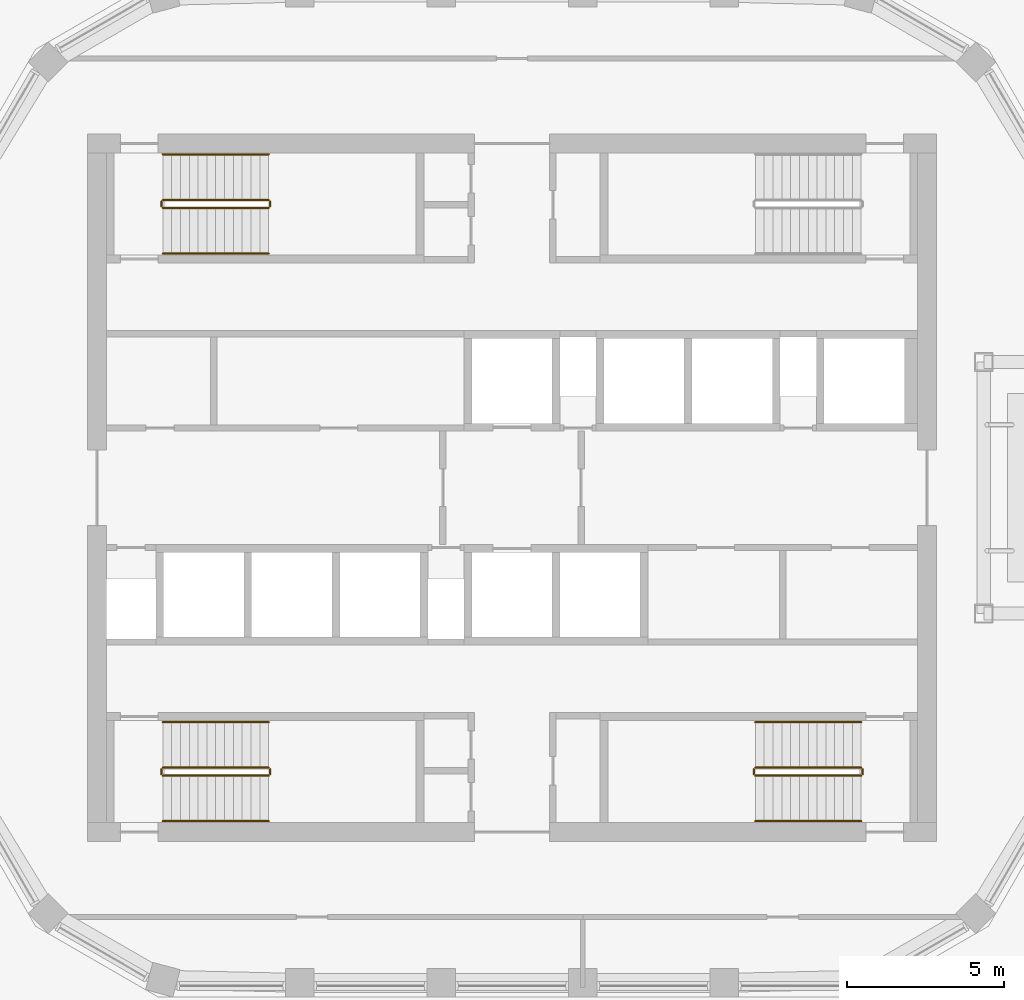
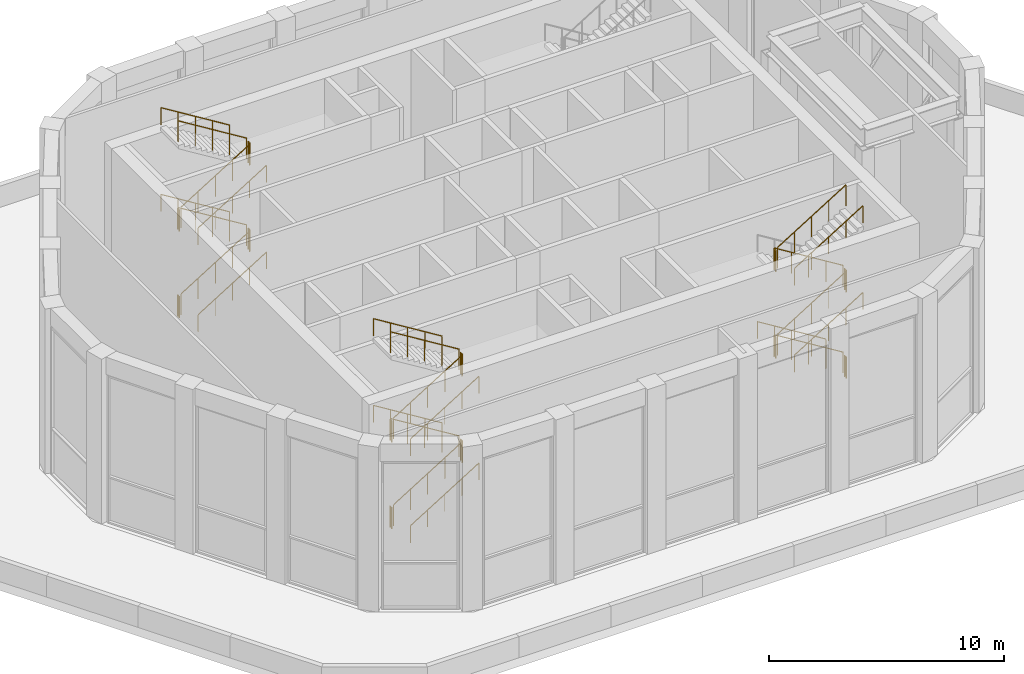
# One storey, part 10 of 11: 35 railings.
"""IFC4 building model written with IfcOpenShell, lengths in metres."""

from ifc_helpers import new_model, si_unit, direction, frame, origin, origin_2d, place, context, subcontext, project, spatial, circle, extrude, material, type_object, element, save


model = new_model("IFC4")

# Units and contexts
model_context = context("Model", 3, precision=1e-05, world=origin(), true_north=direction((0.0, 1.0)))
body_context = subcontext(model_context, "Body", "Model", "MODEL_VIEW")
ifc_project = project(units=[si_unit("LENGTHUNIT", "METRE"), si_unit("AREAUNIT", "SQUARE_METRE"), si_unit("VOLUMEUNIT", "CUBIC_METRE"), si_unit("PLANEANGLEUNIT", "RADIAN"), si_unit("MASSUNIT", "GRAM", prefix="KILO")], contexts=[model_context])

# Site, building, storey
site_placement = place(None, origin())
site = spatial("IfcSite", under=ifc_project, at=site_placement, CompositionType="ELEMENT")
building_placement = place(site_placement, origin())
building = spatial("IfcBuilding", under=site, at=building_placement, Name="Dhurran Vertical Campus", CompositionType="ELEMENT")
storey_placement = place(building_placement, frame((0.0, 0.0, 309.89990234375)))
storey = spatial("IfcBuildingStorey", under=building, at=storey_placement, Name="L77 Damper Plant", CompositionType="ELEMENT", Elevation=309.89990234375)

# Railings
ifc_material_1 = material(Name="Stainless steel balustrade", Category="steel")
railing_type_1 = type_object("IfcRailingType", Name="co-RL-GUARD-1100", PredefinedType="GUARDRAIL", material=ifc_material_1)
railing_1_placement = place(storey_placement, frame((-11.10009765625, 8.89990234375, 0.173095703125)))
element("IfcRailing", 1, at=railing_1_placement, inside=storey, type_object=railing_type_1, Name="L77 Damper Plant ST1 stair guard 1", PredefinedType="GUARDRAIL", context=body_context, shape_type="SweptSolid", body=[
    extrude(circle(Radius=0.02392578125, at=origin_2d()), frame((0.0, 0.0, 1.076171875), z_axis=(0.850623216509, 0.0, 0.525775754039), x_axis=(0.0, 1.0, 0.0)), (0.0, 0.0, 1.0), 3.9501953125),
    extrude(circle(Radius=0.02099609375, at=origin_2d()), origin(), (0.0, 0.0, 1.0), 1.052001953125),
    extrude(circle(Radius=0.02099609375, at=origin_2d()), frame((0.840087890625, 0.0, 0.519287109375)), (0.0, 0.0, 1.0), 1.052001953125),
    extrude(circle(Radius=0.02099609375, at=origin_2d()), frame((1.68017578125, 0.0, 1.03857421875)), (0.0, 0.0, 1.0), 1.052001953125),
    extrude(circle(Radius=0.02099609375, at=origin_2d()), frame((2.52001953125, 0.0, 1.5576171875)), (0.0, 0.0, 1.0), 1.052001953125),
    extrude(circle(Radius=0.02099609375, at=origin_2d()), frame((3.360107421875, 0.0, 2.076904296875)), (0.0, 0.0, 1.0), 1.052001953125),
])
railing_2_placement = place(storey_placement, frame((-7.68994140625, 8.949951171875, 2.25)))
element("IfcRailing", 2, at=railing_2_placement, inside=storey, type_object=railing_type_1, Name="L77 Damper Plant ST1 stair guard 2", PredefinedType="GUARDRAIL", context=body_context, shape_type="SweptSolid", body=[
    extrude(circle(Radius=0.02392578125, at=origin_2d()), frame((0.0, 0.0, 1.076171875), z_axis=(0.0, 1.0, 0.0), x_axis=(-1.0, 0.0, 0.0)), (0.0, 0.0, 1.0), 0.150146484375),
    extrude(circle(Radius=0.02099609375, at=origin_2d()), origin(), (0.0, 0.0, 1.0), 1.052001953125),
    extrude(circle(Radius=0.02099609375, at=origin_2d()), frame((0.0, 0.150146484375, 0.0)), (0.0, 0.0, 1.0), 1.052001953125),
])
railing_3_placement = place(storey_placement, frame((-7.739990234375, 9.14990234375, 2.423095703125)))
element("IfcRailing", 3, at=railing_3_placement, inside=storey, type_object=railing_type_1, Name="L77 Damper Plant ST1 stair guard 3", PredefinedType="GUARDRAIL", context=body_context, shape_type="SweptSolid", body=[
    extrude(circle(Radius=0.02392578125, at=origin_2d()), frame((0.0, 0.0, 1.076171875), z_axis=(-0.850623216509, 0.0, 0.525775754039), x_axis=(0.0, -1.0, 0.0)), (0.0, 0.0, 1.0), 3.9501953125),
    extrude(circle(Radius=0.02099609375, at=origin_2d()), origin(), (0.0, 0.0, 1.0), 1.052001953125),
    extrude(circle(Radius=0.02099609375, at=origin_2d()), frame((-0.840087890625, 0.0, 0.519287109375)), (0.0, 0.0, 1.0), 1.052001953125),
    extrude(circle(Radius=0.02099609375, at=origin_2d()), frame((-1.68017578125, 0.0, 1.03857421875)), (0.0, 0.0, 1.0), 1.052001953125),
    extrude(circle(Radius=0.02099609375, at=origin_2d()), frame((-2.52001953125, 0.0, 1.5576171875)), (0.0, 0.0, 1.0), 1.052001953125),
    extrude(circle(Radius=0.02099609375, at=origin_2d()), frame((-3.360107421875, 0.0, 2.076904296875)), (0.0, 0.0, 1.0), 1.052001953125),
])
railing_4_placement = place(storey_placement, frame((-11.14990234375, 8.949951171875, 4.5)))
element("IfcRailing", 4, at=railing_4_placement, inside=storey, type_object=railing_type_1, Name="L77 Damper Plant ST1 stair guard 4", PredefinedType="GUARDRAIL", context=body_context, shape_type="SweptSolid", body=[
    extrude(circle(Radius=0.02392578125, at=origin_2d()), frame((0.0, 0.0, 1.076171875), z_axis=(0.0, 1.0, 0.0), x_axis=(-1.0, 0.0, 0.0)), (0.0, 0.0, 1.0), 0.150146484375),
    extrude(circle(Radius=0.02099609375, at=origin_2d()), origin(), (0.0, 0.0, 1.0), 1.052001953125),
    extrude(circle(Radius=0.02099609375, at=origin_2d()), frame((0.0, 0.150146484375, 0.0)), (0.0, 0.0, 1.0), 1.052001953125),
])
railing_5_placement = place(storey_placement, frame((-11.10009765625, 8.89990234375, 4.673095703125)))
element("IfcRailing", 5, at=railing_5_placement, inside=storey, type_object=railing_type_1, Name="L77 Damper Plant ST1 stair guard 5", PredefinedType="GUARDRAIL", context=body_context, shape_type="SweptSolid", body=[
    extrude(circle(Radius=0.02392578125, at=origin_2d()), frame((0.0, 0.0, 1.076171875), z_axis=(0.850623216509, 0.0, 0.525775754039), x_axis=(0.0, 1.0, 0.0)), (0.0, 0.0, 1.0), 3.9501953125),
    extrude(circle(Radius=0.02099609375, at=origin_2d()), origin(), (0.0, 0.0, 1.0), 1.052001953125),
    extrude(circle(Radius=0.02099609375, at=origin_2d()), frame((0.840087890625, 0.0, 0.519287109375)), (0.0, 0.0, 1.0), 1.052001953125),
    extrude(circle(Radius=0.02099609375, at=origin_2d()), frame((1.68017578125, 0.0, 1.03857421875)), (0.0, 0.0, 1.0), 1.052001953125),
    extrude(circle(Radius=0.02099609375, at=origin_2d()), frame((2.52001953125, 0.0, 1.5576171875)), (0.0, 0.0, 1.0), 1.052001953125),
    extrude(circle(Radius=0.02099609375, at=origin_2d()), frame((3.360107421875, 0.0, 2.076904296875)), (0.0, 0.0, 1.0), 1.052001953125),
])
railing_6_placement = place(storey_placement, frame((-7.68994140625, 8.949951171875, 6.75)))
element("IfcRailing", 6, at=railing_6_placement, inside=storey, type_object=railing_type_1, Name="L77 Damper Plant ST1 stair guard 6", PredefinedType="GUARDRAIL", context=body_context, shape_type="SweptSolid", body=[
    extrude(circle(Radius=0.02392578125, at=origin_2d()), frame((0.0, 0.0, 1.076171875), z_axis=(0.0, 1.0, 0.0), x_axis=(-1.0, 0.0, 0.0)), (0.0, 0.0, 1.0), 0.150146484375),
    extrude(circle(Radius=0.02099609375, at=origin_2d()), origin(), (0.0, 0.0, 1.0), 1.052001953125),
    extrude(circle(Radius=0.02099609375, at=origin_2d()), frame((0.0, 0.150146484375, 0.0)), (0.0, 0.0, 1.0), 1.052001953125),
])
railing_7_placement = place(storey_placement, frame((-7.739990234375, 9.14990234375, 6.923095703125)))
element("IfcRailing", 7, at=railing_7_placement, inside=storey, type_object=railing_type_1, Name="L77 Damper Plant ST1 stair guard 7", PredefinedType="GUARDRAIL", context=body_context, shape_type="SweptSolid", body=[
    extrude(circle(Radius=0.02392578125, at=origin_2d()), frame((0.0, 0.0, 1.076171875), z_axis=(-0.850623216509, 0.0, 0.525775754039), x_axis=(0.0, -1.0, 0.0)), (0.0, 0.0, 1.0), 3.9501953125),
    extrude(circle(Radius=0.02099609375, at=origin_2d()), origin(), (0.0, 0.0, 1.0), 1.052001953125),
    extrude(circle(Radius=0.02099609375, at=origin_2d()), frame((-0.840087890625, 0.0, 0.519287109375)), (0.0, 0.0, 1.0), 1.052001953125),
    extrude(circle(Radius=0.02099609375, at=origin_2d()), frame((-1.68017578125, 0.0, 1.03857421875)), (0.0, 0.0, 1.0), 1.052001953125),
    extrude(circle(Radius=0.02099609375, at=origin_2d()), frame((-2.52001953125, 0.0, 1.5576171875)), (0.0, 0.0, 1.0), 1.052001953125),
    extrude(circle(Radius=0.02099609375, at=origin_2d()), frame((-3.360107421875, 0.0, 2.076904296875)), (0.0, 0.0, 1.0), 1.052001953125),
])
railing_8_placement = place(storey_placement, frame((-11.14990234375, 8.949951171875, 0.0)))
element("IfcRailing", 8, at=railing_8_placement, inside=storey, type_object=railing_type_1, Name="L77 Damper Plant ST1 stair guard 8", PredefinedType="GUARDRAIL", context=body_context, shape_type="SweptSolid", body=[
    extrude(circle(Radius=0.02392578125, at=origin_2d()), frame((0.0, 0.0, 1.076171875), z_axis=(0.0, 1.0, 0.0), x_axis=(-1.0, 0.0, 0.0)), (0.0, 0.0, 1.0), 0.150146484375),
    extrude(circle(Radius=0.02099609375, at=origin_2d()), origin(), (0.0, 0.0, 1.0), 1.052001953125),
    extrude(circle(Radius=0.02099609375, at=origin_2d()), frame((0.0, 0.150146484375, 0.0)), (0.0, 0.0, 1.0), 1.052001953125),
])
railing_9_placement = place(storey_placement, frame((-11.10009765625, -9.14990234375, 0.173095703125)))
element("IfcRailing", 9, at=railing_9_placement, inside=storey, type_object=railing_type_1, Name="L77 Damper Plant ST3 stair guard 1", PredefinedType="GUARDRAIL", context=body_context, shape_type="SweptSolid", body=[
    extrude(circle(Radius=0.02392578125, at=origin_2d()), frame((0.0, 0.0, 1.076171875), z_axis=(0.850623216509, 0.0, 0.525775754039), x_axis=(0.0, 1.0, 0.0)), (0.0, 0.0, 1.0), 3.9501953125),
    extrude(circle(Radius=0.02099609375, at=origin_2d()), origin(), (0.0, 0.0, 1.0), 1.052001953125),
    extrude(circle(Radius=0.02099609375, at=origin_2d()), frame((0.840087890625, 0.0, 0.519287109375)), (0.0, 0.0, 1.0), 1.052001953125),
    extrude(circle(Radius=0.02099609375, at=origin_2d()), frame((1.68017578125, 0.0, 1.03857421875)), (0.0, 0.0, 1.0), 1.052001953125),
    extrude(circle(Radius=0.02099609375, at=origin_2d()), frame((2.52001953125, 0.0, 1.5576171875)), (0.0, 0.0, 1.0), 1.052001953125),
    extrude(circle(Radius=0.02099609375, at=origin_2d()), frame((3.360107421875, 0.0, 2.076904296875)), (0.0, 0.0, 1.0), 1.052001953125),
])
railing_10_placement = place(storey_placement, frame((-7.68994140625, -9.10009765625, 2.25)))
element("IfcRailing", 10, at=railing_10_placement, inside=storey, type_object=railing_type_1, Name="L77 Damper Plant ST3 stair guard 2", PredefinedType="GUARDRAIL", context=body_context, shape_type="SweptSolid", body=[
    extrude(circle(Radius=0.02392578125, at=origin_2d()), frame((0.0, 0.0, 1.076171875), z_axis=(0.0, 1.0, 0.0), x_axis=(-1.0, 0.0, 0.0)), (0.0, 0.0, 1.0), 0.150146484375),
    extrude(circle(Radius=0.02099609375, at=origin_2d()), origin(), (0.0, 0.0, 1.0), 1.052001953125),
    extrude(circle(Radius=0.02099609375, at=origin_2d()), frame((0.0, 0.150146484375, 0.0)), (0.0, 0.0, 1.0), 1.052001953125),
])
railing_11_placement = place(storey_placement, frame((-7.739990234375, -8.89990234375, 2.423095703125)))
element("IfcRailing", 11, at=railing_11_placement, inside=storey, type_object=railing_type_1, Name="L77 Damper Plant ST3 stair guard 3", PredefinedType="GUARDRAIL", context=body_context, shape_type="SweptSolid", body=[
    extrude(circle(Radius=0.02392578125, at=origin_2d()), frame((0.0, 0.0, 1.076171875), z_axis=(-0.850623216509, 0.0, 0.525775754039), x_axis=(0.0, -1.0, 0.0)), (0.0, 0.0, 1.0), 3.9501953125),
    extrude(circle(Radius=0.02099609375, at=origin_2d()), origin(), (0.0, 0.0, 1.0), 1.052001953125),
    extrude(circle(Radius=0.02099609375, at=origin_2d()), frame((-0.840087890625, 0.0, 0.519287109375)), (0.0, 0.0, 1.0), 1.052001953125),
    extrude(circle(Radius=0.02099609375, at=origin_2d()), frame((-1.68017578125, 0.0, 1.03857421875)), (0.0, 0.0, 1.0), 1.052001953125),
    extrude(circle(Radius=0.02099609375, at=origin_2d()), frame((-2.52001953125, 0.0, 1.5576171875)), (0.0, 0.0, 1.0), 1.052001953125),
    extrude(circle(Radius=0.02099609375, at=origin_2d()), frame((-3.360107421875, 0.0, 2.076904296875)), (0.0, 0.0, 1.0), 1.052001953125),
])
railing_12_placement = place(storey_placement, frame((-11.14990234375, -9.10009765625, 4.5)))
element("IfcRailing", 12, at=railing_12_placement, inside=storey, type_object=railing_type_1, Name="L77 Damper Plant ST3 stair guard 4", PredefinedType="GUARDRAIL", context=body_context, shape_type="SweptSolid", body=[
    extrude(circle(Radius=0.02392578125, at=origin_2d()), frame((0.0, 0.0, 1.076171875), z_axis=(0.0, 1.0, 0.0), x_axis=(-1.0, 0.0, 0.0)), (0.0, 0.0, 1.0), 0.150146484375),
    extrude(circle(Radius=0.02099609375, at=origin_2d()), origin(), (0.0, 0.0, 1.0), 1.052001953125),
    extrude(circle(Radius=0.02099609375, at=origin_2d()), frame((0.0, 0.150146484375, 0.0)), (0.0, 0.0, 1.0), 1.052001953125),
])
railing_13_placement = place(storey_placement, frame((-11.10009765625, -9.14990234375, 4.673095703125)))
element("IfcRailing", 13, at=railing_13_placement, inside=storey, type_object=railing_type_1, Name="L77 Damper Plant ST3 stair guard 5", PredefinedType="GUARDRAIL", context=body_context, shape_type="SweptSolid", body=[
    extrude(circle(Radius=0.02392578125, at=origin_2d()), frame((0.0, 0.0, 1.076171875), z_axis=(0.850623216509, 0.0, 0.525775754039), x_axis=(0.0, 1.0, 0.0)), (0.0, 0.0, 1.0), 3.9501953125),
    extrude(circle(Radius=0.02099609375, at=origin_2d()), origin(), (0.0, 0.0, 1.0), 1.052001953125),
    extrude(circle(Radius=0.02099609375, at=origin_2d()), frame((0.840087890625, 0.0, 0.519287109375)), (0.0, 0.0, 1.0), 1.052001953125),
    extrude(circle(Radius=0.02099609375, at=origin_2d()), frame((1.68017578125, 0.0, 1.03857421875)), (0.0, 0.0, 1.0), 1.052001953125),
    extrude(circle(Radius=0.02099609375, at=origin_2d()), frame((2.52001953125, 0.0, 1.5576171875)), (0.0, 0.0, 1.0), 1.052001953125),
    extrude(circle(Radius=0.02099609375, at=origin_2d()), frame((3.360107421875, 0.0, 2.076904296875)), (0.0, 0.0, 1.0), 1.052001953125),
])
railing_14_placement = place(storey_placement, frame((-7.68994140625, -9.10009765625, 6.75)))
element("IfcRailing", 14, at=railing_14_placement, inside=storey, type_object=railing_type_1, Name="L77 Damper Plant ST3 stair guard 6", PredefinedType="GUARDRAIL", context=body_context, shape_type="SweptSolid", body=[
    extrude(circle(Radius=0.02392578125, at=origin_2d()), frame((0.0, 0.0, 1.076171875), z_axis=(0.0, 1.0, 0.0), x_axis=(-1.0, 0.0, 0.0)), (0.0, 0.0, 1.0), 0.150146484375),
    extrude(circle(Radius=0.02099609375, at=origin_2d()), origin(), (0.0, 0.0, 1.0), 1.052001953125),
    extrude(circle(Radius=0.02099609375, at=origin_2d()), frame((0.0, 0.150146484375, 0.0)), (0.0, 0.0, 1.0), 1.052001953125),
])
railing_15_placement = place(storey_placement, frame((-7.739990234375, -8.89990234375, 6.923095703125)))
element("IfcRailing", 15, at=railing_15_placement, inside=storey, type_object=railing_type_1, Name="L77 Damper Plant ST3 stair guard 7", PredefinedType="GUARDRAIL", context=body_context, shape_type="SweptSolid", body=[
    extrude(circle(Radius=0.02392578125, at=origin_2d()), frame((0.0, 0.0, 1.076171875), z_axis=(-0.850623216509, 0.0, 0.525775754039), x_axis=(0.0, -1.0, 0.0)), (0.0, 0.0, 1.0), 3.9501953125),
    extrude(circle(Radius=0.02099609375, at=origin_2d()), origin(), (0.0, 0.0, 1.0), 1.052001953125),
    extrude(circle(Radius=0.02099609375, at=origin_2d()), frame((-0.840087890625, 0.0, 0.519287109375)), (0.0, 0.0, 1.0), 1.052001953125),
    extrude(circle(Radius=0.02099609375, at=origin_2d()), frame((-1.68017578125, 0.0, 1.03857421875)), (0.0, 0.0, 1.0), 1.052001953125),
    extrude(circle(Radius=0.02099609375, at=origin_2d()), frame((-2.52001953125, 0.0, 1.5576171875)), (0.0, 0.0, 1.0), 1.052001953125),
    extrude(circle(Radius=0.02099609375, at=origin_2d()), frame((-3.360107421875, 0.0, 2.076904296875)), (0.0, 0.0, 1.0), 1.052001953125),
])
railing_16_placement = place(storey_placement, frame((-11.14990234375, -9.10009765625, 0.0)))
element("IfcRailing", 16, at=railing_16_placement, inside=storey, type_object=railing_type_1, Name="L77 Damper Plant ST3 stair guard 8", PredefinedType="GUARDRAIL", context=body_context, shape_type="SweptSolid", body=[
    extrude(circle(Radius=0.02392578125, at=origin_2d()), frame((0.0, 0.0, 1.076171875), z_axis=(0.0, 1.0, 0.0), x_axis=(-1.0, 0.0, 0.0)), (0.0, 0.0, 1.0), 0.150146484375),
    extrude(circle(Radius=0.02099609375, at=origin_2d()), origin(), (0.0, 0.0, 1.0), 1.052001953125),
    extrude(circle(Radius=0.02099609375, at=origin_2d()), frame((0.0, 0.150146484375, 0.0)), (0.0, 0.0, 1.0), 1.052001953125),
])
railing_17_placement = place(storey_placement, frame((11.10009765625, -8.89990234375, 0.173095703125)))
element("IfcRailing", 17, at=railing_17_placement, inside=storey, type_object=railing_type_1, Name="L77 Damper Plant ST4 stair guard 1", PredefinedType="GUARDRAIL", context=body_context, shape_type="SweptSolid", body=[
    extrude(circle(Radius=0.02392578125, at=origin_2d()), frame((0.0, 0.0, 1.076171875), z_axis=(-0.850623216509, 0.0, 0.525775754039), x_axis=(0.0, -1.0, 0.0)), (0.0, 0.0, 1.0), 3.9501953125),
    extrude(circle(Radius=0.02099609375, at=origin_2d()), origin(), (0.0, 0.0, 1.0), 1.052001953125),
    extrude(circle(Radius=0.02099609375, at=origin_2d()), frame((-0.840087890625, 0.0, 0.519287109375)), (0.0, 0.0, 1.0), 1.052001953125),
    extrude(circle(Radius=0.02099609375, at=origin_2d()), frame((-1.68017578125, 0.0, 1.03857421875)), (0.0, 0.0, 1.0), 1.052001953125),
    extrude(circle(Radius=0.02099609375, at=origin_2d()), frame((-2.52001953125, 0.0, 1.5576171875)), (0.0, 0.0, 1.0), 1.052001953125),
    extrude(circle(Radius=0.02099609375, at=origin_2d()), frame((-3.360107421875, 0.0, 2.076904296875)), (0.0, 0.0, 1.0), 1.052001953125),
])
railing_18_placement = place(storey_placement, frame((7.68994140625, -8.949951171875, 2.25)))
element("IfcRailing", 18, at=railing_18_placement, inside=storey, type_object=railing_type_1, Name="L77 Damper Plant ST4 stair guard 2", PredefinedType="GUARDRAIL", context=body_context, shape_type="SweptSolid", body=[
    extrude(circle(Radius=0.02392578125, at=origin_2d()), frame((0.0, 0.0, 1.076171875), z_axis=(0.0, -1.0, 0.0), x_axis=(1.0, 0.0, 0.0)), (0.0, 0.0, 1.0), 0.150146484375),
    extrude(circle(Radius=0.02099609375, at=origin_2d()), origin(), (0.0, 0.0, 1.0), 1.052001953125),
    extrude(circle(Radius=0.02099609375, at=origin_2d()), frame((0.0, -0.150146484375, 0.0)), (0.0, 0.0, 1.0), 1.052001953125),
])
railing_19_placement = place(storey_placement, frame((7.739990234375, -9.14990234375, 2.423095703125)))
element("IfcRailing", 19, at=railing_19_placement, inside=storey, type_object=railing_type_1, Name="L77 Damper Plant ST4 stair guard 3", PredefinedType="GUARDRAIL", context=body_context, shape_type="SweptSolid", body=[
    extrude(circle(Radius=0.02392578125, at=origin_2d()), frame((0.0, 0.0, 1.076171875), z_axis=(0.850623216509, 0.0, 0.525775754039), x_axis=(0.0, 1.0, 0.0)), (0.0, 0.0, 1.0), 3.9501953125),
    extrude(circle(Radius=0.02099609375, at=origin_2d()), origin(), (0.0, 0.0, 1.0), 1.052001953125),
    extrude(circle(Radius=0.02099609375, at=origin_2d()), frame((0.840087890625, 0.0, 0.519287109375)), (0.0, 0.0, 1.0), 1.052001953125),
    extrude(circle(Radius=0.02099609375, at=origin_2d()), frame((1.68017578125, 0.0, 1.03857421875)), (0.0, 0.0, 1.0), 1.052001953125),
    extrude(circle(Radius=0.02099609375, at=origin_2d()), frame((2.52001953125, 0.0, 1.5576171875)), (0.0, 0.0, 1.0), 1.052001953125),
    extrude(circle(Radius=0.02099609375, at=origin_2d()), frame((3.360107421875, 0.0, 2.076904296875)), (0.0, 0.0, 1.0), 1.052001953125),
])
railing_20_placement = place(storey_placement, frame((11.14990234375, -8.949951171875, 4.5)))
element("IfcRailing", 20, at=railing_20_placement, inside=storey, type_object=railing_type_1, Name="L77 Damper Plant ST4 stair guard 4", PredefinedType="GUARDRAIL", context=body_context, shape_type="SweptSolid", body=[
    extrude(circle(Radius=0.02392578125, at=origin_2d()), frame((0.0, 0.0, 1.076171875), z_axis=(0.0, -1.0, 0.0), x_axis=(1.0, 0.0, 0.0)), (0.0, 0.0, 1.0), 0.150146484375),
    extrude(circle(Radius=0.02099609375, at=origin_2d()), origin(), (0.0, 0.0, 1.0), 1.052001953125),
    extrude(circle(Radius=0.02099609375, at=origin_2d()), frame((0.0, -0.150146484375, 0.0)), (0.0, 0.0, 1.0), 1.052001953125),
])
railing_21_placement = place(storey_placement, frame((11.10009765625, -8.89990234375, 4.673095703125)))
element("IfcRailing", 21, at=railing_21_placement, inside=storey, type_object=railing_type_1, Name="L77 Damper Plant ST4 stair guard 5", PredefinedType="GUARDRAIL", context=body_context, shape_type="SweptSolid", body=[
    extrude(circle(Radius=0.02392578125, at=origin_2d()), frame((0.0, 0.0, 1.076171875), z_axis=(-0.850623216509, 0.0, 0.525775754039), x_axis=(0.0, -1.0, 0.0)), (0.0, 0.0, 1.0), 3.9501953125),
    extrude(circle(Radius=0.02099609375, at=origin_2d()), origin(), (0.0, 0.0, 1.0), 1.052001953125),
    extrude(circle(Radius=0.02099609375, at=origin_2d()), frame((-0.840087890625, 0.0, 0.519287109375)), (0.0, 0.0, 1.0), 1.052001953125),
    extrude(circle(Radius=0.02099609375, at=origin_2d()), frame((-1.68017578125, 0.0, 1.03857421875)), (0.0, 0.0, 1.0), 1.052001953125),
    extrude(circle(Radius=0.02099609375, at=origin_2d()), frame((-2.52001953125, 0.0, 1.5576171875)), (0.0, 0.0, 1.0), 1.052001953125),
    extrude(circle(Radius=0.02099609375, at=origin_2d()), frame((-3.360107421875, 0.0, 2.076904296875)), (0.0, 0.0, 1.0), 1.052001953125),
])
railing_22_placement = place(storey_placement, frame((7.68994140625, -8.949951171875, 6.75)))
element("IfcRailing", 22, at=railing_22_placement, inside=storey, type_object=railing_type_1, Name="L77 Damper Plant ST4 stair guard 6", PredefinedType="GUARDRAIL", context=body_context, shape_type="SweptSolid", body=[
    extrude(circle(Radius=0.02392578125, at=origin_2d()), frame((0.0, 0.0, 1.076171875), z_axis=(0.0, -1.0, 0.0), x_axis=(1.0, 0.0, 0.0)), (0.0, 0.0, 1.0), 0.150146484375),
    extrude(circle(Radius=0.02099609375, at=origin_2d()), origin(), (0.0, 0.0, 1.0), 1.052001953125),
    extrude(circle(Radius=0.02099609375, at=origin_2d()), frame((0.0, -0.150146484375, 0.0)), (0.0, 0.0, 1.0), 1.052001953125),
])
railing_23_placement = place(storey_placement, frame((7.739990234375, -9.14990234375, 6.923095703125)))
element("IfcRailing", 23, at=railing_23_placement, inside=storey, type_object=railing_type_1, Name="L77 Damper Plant ST4 stair guard 7", PredefinedType="GUARDRAIL", context=body_context, shape_type="SweptSolid", body=[
    extrude(circle(Radius=0.02392578125, at=origin_2d()), frame((0.0, 0.0, 1.076171875), z_axis=(0.850623216509, 0.0, 0.525775754039), x_axis=(0.0, 1.0, 0.0)), (0.0, 0.0, 1.0), 3.9501953125),
    extrude(circle(Radius=0.02099609375, at=origin_2d()), origin(), (0.0, 0.0, 1.0), 1.052001953125),
    extrude(circle(Radius=0.02099609375, at=origin_2d()), frame((0.840087890625, 0.0, 0.519287109375)), (0.0, 0.0, 1.0), 1.052001953125),
    extrude(circle(Radius=0.02099609375, at=origin_2d()), frame((1.68017578125, 0.0, 1.03857421875)), (0.0, 0.0, 1.0), 1.052001953125),
    extrude(circle(Radius=0.02099609375, at=origin_2d()), frame((2.52001953125, 0.0, 1.5576171875)), (0.0, 0.0, 1.0), 1.052001953125),
    extrude(circle(Radius=0.02099609375, at=origin_2d()), frame((3.360107421875, 0.0, 2.076904296875)), (0.0, 0.0, 1.0), 1.052001953125),
])
railing_24_placement = place(storey_placement, frame((11.14990234375, -8.949951171875, 0.0)))
element("IfcRailing", 24, at=railing_24_placement, inside=storey, type_object=railing_type_1, Name="L77 Damper Plant ST4 stair guard 8", PredefinedType="GUARDRAIL", context=body_context, shape_type="SweptSolid", body=[
    extrude(circle(Radius=0.02392578125, at=origin_2d()), frame((0.0, 0.0, 1.076171875), z_axis=(0.0, -1.0, 0.0), x_axis=(1.0, 0.0, 0.0)), (0.0, 0.0, 1.0), 0.150146484375),
    extrude(circle(Radius=0.02099609375, at=origin_2d()), origin(), (0.0, 0.0, 1.0), 1.052001953125),
    extrude(circle(Radius=0.02099609375, at=origin_2d()), frame((0.0, -0.150146484375, 0.0)), (0.0, 0.0, 1.0), 1.052001953125),
])
ifc_material_2 = material(Name="Stainless steel handrail", Category="steel")
railing_type_2 = type_object("IfcRailingType", Name="co-RL-HANDRAIL-900", PredefinedType="HANDRAIL", material=ifc_material_2)
railing_25_placement = place(storey_placement, frame((-11.10009765625, 7.449951171875, 0.173095703125)))
element("IfcRailing", 25, at=railing_25_placement, inside=storey, type_object=railing_type_2, Name="L77 Damper Plant ST1 stair handrail 1", PredefinedType="HANDRAIL", context=body_context, shape_type="SweptSolid", body=[
    extrude(circle(Radius=0.02392578125, at=origin_2d()), frame((0.0, 0.0, 0.8759765625), z_axis=(0.850623216509, 0.0, 0.525775754039), x_axis=(0.0, 1.0, 0.0)), (0.0, 0.0, 1.0), 3.9501953125),
    extrude(circle(Radius=0.02099609375, at=origin_2d()), origin(), (0.0, 0.0, 1.0), 0.851806640625),
    extrude(circle(Radius=0.02099609375, at=origin_2d()), frame((0.840087890625, 0.0, 0.519287109375)), (0.0, 0.0, 1.0), 0.851806640625),
    extrude(circle(Radius=0.02099609375, at=origin_2d()), frame((1.68017578125, 0.0, 1.03857421875)), (0.0, 0.0, 1.0), 0.851806640625),
    extrude(circle(Radius=0.02099609375, at=origin_2d()), frame((2.52001953125, 0.0, 1.5576171875)), (0.0, 0.0, 1.0), 0.851806640625),
    extrude(circle(Radius=0.02099609375, at=origin_2d()), frame((3.360107421875, 0.0, 2.076904296875)), (0.0, 0.0, 1.0), 0.851806640625),
])
railing_26_placement = place(storey_placement, frame((-7.739990234375, 10.60009765625, 2.423095703125)))
element("IfcRailing", 26, at=railing_26_placement, inside=storey, type_object=railing_type_2, Name="L77 Damper Plant ST1 stair handrail 2", PredefinedType="HANDRAIL", context=body_context, shape_type="SweptSolid", body=[
    extrude(circle(Radius=0.02392578125, at=origin_2d()), frame((0.0, 0.0, 0.8759765625), z_axis=(-0.850623216509, 0.0, 0.525775754039), x_axis=(0.0, -1.0, 0.0)), (0.0, 0.0, 1.0), 3.9501953125),
    extrude(circle(Radius=0.02099609375, at=origin_2d()), origin(), (0.0, 0.0, 1.0), 0.851806640625),
    extrude(circle(Radius=0.02099609375, at=origin_2d()), frame((-0.840087890625, 0.0, 0.519287109375)), (0.0, 0.0, 1.0), 0.851806640625),
    extrude(circle(Radius=0.02099609375, at=origin_2d()), frame((-1.68017578125, 0.0, 1.03857421875)), (0.0, 0.0, 1.0), 0.851806640625),
    extrude(circle(Radius=0.02099609375, at=origin_2d()), frame((-2.52001953125, 0.0, 1.5576171875)), (0.0, 0.0, 1.0), 0.851806640625),
    extrude(circle(Radius=0.02099609375, at=origin_2d()), frame((-3.360107421875, 0.0, 2.076904296875)), (0.0, 0.0, 1.0), 0.851806640625),
])
railing_27_placement = place(storey_placement, frame((-11.10009765625, 7.449951171875, 4.673095703125)))
element("IfcRailing", 27, at=railing_27_placement, inside=storey, type_object=railing_type_2, Name="L77 Damper Plant ST1 stair handrail 3", PredefinedType="HANDRAIL", context=body_context, shape_type="SweptSolid", body=[
    extrude(circle(Radius=0.02392578125, at=origin_2d()), frame((0.0, 0.0, 0.8759765625), z_axis=(0.850623216509, 0.0, 0.525775754039), x_axis=(0.0, 1.0, 0.0)), (0.0, 0.0, 1.0), 3.9501953125),
    extrude(circle(Radius=0.02099609375, at=origin_2d()), origin(), (0.0, 0.0, 1.0), 0.851806640625),
    extrude(circle(Radius=0.02099609375, at=origin_2d()), frame((0.840087890625, 0.0, 0.519287109375)), (0.0, 0.0, 1.0), 0.851806640625),
    extrude(circle(Radius=0.02099609375, at=origin_2d()), frame((1.68017578125, 0.0, 1.03857421875)), (0.0, 0.0, 1.0), 0.851806640625),
    extrude(circle(Radius=0.02099609375, at=origin_2d()), frame((2.52001953125, 0.0, 1.5576171875)), (0.0, 0.0, 1.0), 0.851806640625),
    extrude(circle(Radius=0.02099609375, at=origin_2d()), frame((3.360107421875, 0.0, 2.076904296875)), (0.0, 0.0, 1.0), 0.851806640625),
])
railing_28_placement = place(storey_placement, frame((-7.739990234375, 10.60009765625, 6.923095703125)))
element("IfcRailing", 28, at=railing_28_placement, inside=storey, type_object=railing_type_2, Name="L77 Damper Plant ST1 stair handrail 4", PredefinedType="HANDRAIL", context=body_context, shape_type="SweptSolid", body=[
    extrude(circle(Radius=0.02392578125, at=origin_2d()), frame((0.0, 0.0, 0.8759765625), z_axis=(-0.850623216509, 0.0, 0.525775754039), x_axis=(0.0, -1.0, 0.0)), (0.0, 0.0, 1.0), 3.9501953125),
    extrude(circle(Radius=0.02099609375, at=origin_2d()), origin(), (0.0, 0.0, 1.0), 0.851806640625),
    extrude(circle(Radius=0.02099609375, at=origin_2d()), frame((-0.840087890625, 0.0, 0.519287109375)), (0.0, 0.0, 1.0), 0.851806640625),
    extrude(circle(Radius=0.02099609375, at=origin_2d()), frame((-1.68017578125, 0.0, 1.03857421875)), (0.0, 0.0, 1.0), 0.851806640625),
    extrude(circle(Radius=0.02099609375, at=origin_2d()), frame((-2.52001953125, 0.0, 1.5576171875)), (0.0, 0.0, 1.0), 0.851806640625),
    extrude(circle(Radius=0.02099609375, at=origin_2d()), frame((-3.360107421875, 0.0, 2.076904296875)), (0.0, 0.0, 1.0), 0.851806640625),
])
railing_29_placement = place(storey_placement, frame((-11.10009765625, -10.60009765625, 0.173095703125)))
element("IfcRailing", 29, at=railing_29_placement, inside=storey, type_object=railing_type_2, Name="L77 Damper Plant ST3 stair handrail 1", PredefinedType="HANDRAIL", context=body_context, shape_type="SweptSolid", body=[
    extrude(circle(Radius=0.02392578125, at=origin_2d()), frame((0.0, 0.0, 0.8759765625), z_axis=(0.850623216509, 0.0, 0.525775754039), x_axis=(0.0, 1.0, 0.0)), (0.0, 0.0, 1.0), 3.9501953125),
    extrude(circle(Radius=0.02099609375, at=origin_2d()), origin(), (0.0, 0.0, 1.0), 0.851806640625),
    extrude(circle(Radius=0.02099609375, at=origin_2d()), frame((0.840087890625, 0.0, 0.519287109375)), (0.0, 0.0, 1.0), 0.851806640625),
    extrude(circle(Radius=0.02099609375, at=origin_2d()), frame((1.68017578125, 0.0, 1.03857421875)), (0.0, 0.0, 1.0), 0.851806640625),
    extrude(circle(Radius=0.02099609375, at=origin_2d()), frame((2.52001953125, 0.0, 1.5576171875)), (0.0, 0.0, 1.0), 0.851806640625),
    extrude(circle(Radius=0.02099609375, at=origin_2d()), frame((3.360107421875, 0.0, 2.076904296875)), (0.0, 0.0, 1.0), 0.851806640625),
])
railing_30_placement = place(storey_placement, frame((-7.739990234375, -7.449951171875, 2.423095703125)))
element("IfcRailing", 30, at=railing_30_placement, inside=storey, type_object=railing_type_2, Name="L77 Damper Plant ST3 stair handrail 2", PredefinedType="HANDRAIL", context=body_context, shape_type="SweptSolid", body=[
    extrude(circle(Radius=0.02392578125, at=origin_2d()), frame((0.0, 0.0, 0.8759765625), z_axis=(-0.850623216509, 0.0, 0.525775754039), x_axis=(0.0, -1.0, 0.0)), (0.0, 0.0, 1.0), 3.9501953125),
    extrude(circle(Radius=0.02099609375, at=origin_2d()), origin(), (0.0, 0.0, 1.0), 0.851806640625),
    extrude(circle(Radius=0.02099609375, at=origin_2d()), frame((-0.840087890625, 0.0, 0.519287109375)), (0.0, 0.0, 1.0), 0.851806640625),
    extrude(circle(Radius=0.02099609375, at=origin_2d()), frame((-1.68017578125, 0.0, 1.03857421875)), (0.0, 0.0, 1.0), 0.851806640625),
    extrude(circle(Radius=0.02099609375, at=origin_2d()), frame((-2.52001953125, 0.0, 1.5576171875)), (0.0, 0.0, 1.0), 0.851806640625),
    extrude(circle(Radius=0.02099609375, at=origin_2d()), frame((-3.360107421875, 0.0, 2.076904296875)), (0.0, 0.0, 1.0), 0.851806640625),
])
railing_31_placement = place(storey_placement, frame((-11.10009765625, -10.60009765625, 4.673095703125)))
element("IfcRailing", 31, at=railing_31_placement, inside=storey, type_object=railing_type_2, Name="L77 Damper Plant ST3 stair handrail 3", PredefinedType="HANDRAIL", context=body_context, shape_type="SweptSolid", body=[
    extrude(circle(Radius=0.02392578125, at=origin_2d()), frame((0.0, 0.0, 0.8759765625), z_axis=(0.850623216509, 0.0, 0.525775754039), x_axis=(0.0, 1.0, 0.0)), (0.0, 0.0, 1.0), 3.9501953125),
    extrude(circle(Radius=0.02099609375, at=origin_2d()), origin(), (0.0, 0.0, 1.0), 0.851806640625),
    extrude(circle(Radius=0.02099609375, at=origin_2d()), frame((0.840087890625, 0.0, 0.519287109375)), (0.0, 0.0, 1.0), 0.851806640625),
    extrude(circle(Radius=0.02099609375, at=origin_2d()), frame((1.68017578125, 0.0, 1.03857421875)), (0.0, 0.0, 1.0), 0.851806640625),
    extrude(circle(Radius=0.02099609375, at=origin_2d()), frame((2.52001953125, 0.0, 1.5576171875)), (0.0, 0.0, 1.0), 0.851806640625),
    extrude(circle(Radius=0.02099609375, at=origin_2d()), frame((3.360107421875, 0.0, 2.076904296875)), (0.0, 0.0, 1.0), 0.851806640625),
])
for number, where, name in (
    (32, (-7.739990234375, -7.449951171875, 6.923095703125), "L77 Damper Plant ST3 stair handrail 4"),
    (33, (11.10009765625, -7.449951171875, 0.173095703125), "L77 Damper Plant ST4 stair handrail 1"),
):
    element("IfcRailing", number, at=place(storey_placement, frame(where)), inside=storey, type_object=railing_type_2, Name=name, PredefinedType="HANDRAIL", context=body_context, shape_type="SweptSolid", body=[
        extrude(circle(Radius=0.02392578125, at=origin_2d()), frame((0.0, 0.0, 0.8759765625), z_axis=(-0.850623216509, 0.0, 0.525775754039), x_axis=(0.0, -1.0, 0.0)), (0.0, 0.0, 1.0), 3.9501953125),
        extrude(circle(Radius=0.02099609375, at=origin_2d()), origin(), (0.0, 0.0, 1.0), 0.851806640625),
        extrude(circle(Radius=0.02099609375, at=origin_2d()), frame((-0.840087890625, 0.0, 0.519287109375)), (0.0, 0.0, 1.0), 0.851806640625),
        extrude(circle(Radius=0.02099609375, at=origin_2d()), frame((-1.68017578125, 0.0, 1.03857421875)), (0.0, 0.0, 1.0), 0.851806640625),
        extrude(circle(Radius=0.02099609375, at=origin_2d()), frame((-2.52001953125, 0.0, 1.5576171875)), (0.0, 0.0, 1.0), 0.851806640625),
        extrude(circle(Radius=0.02099609375, at=origin_2d()), frame((-3.360107421875, 0.0, 2.076904296875)), (0.0, 0.0, 1.0), 0.851806640625),
    ])
for number, where, name in (
    (34, (7.739990234375, -10.60009765625, 2.423095703125), "L77 Damper Plant ST4 stair handrail 2"),
    (35, (7.739990234375, -10.60009765625, 6.923095703125), "L77 Damper Plant ST4 stair handrail 4"),
):
    element("IfcRailing", number, at=place(storey_placement, frame(where)), inside=storey, type_object=railing_type_2, Name=name, PredefinedType="HANDRAIL", context=body_context, shape_type="SweptSolid", body=[
        extrude(circle(Radius=0.02392578125, at=origin_2d()), frame((0.0, 0.0, 0.8759765625), z_axis=(0.850623216509, 0.0, 0.525775754039), x_axis=(0.0, 1.0, 0.0)), (0.0, 0.0, 1.0), 3.9501953125),
        extrude(circle(Radius=0.02099609375, at=origin_2d()), origin(), (0.0, 0.0, 1.0), 0.851806640625),
        extrude(circle(Radius=0.02099609375, at=origin_2d()), frame((0.840087890625, 0.0, 0.519287109375)), (0.0, 0.0, 1.0), 0.851806640625),
        extrude(circle(Radius=0.02099609375, at=origin_2d()), frame((1.68017578125, 0.0, 1.03857421875)), (0.0, 0.0, 1.0), 0.851806640625),
        extrude(circle(Radius=0.02099609375, at=origin_2d()), frame((2.52001953125, 0.0, 1.5576171875)), (0.0, 0.0, 1.0), 0.851806640625),
        extrude(circle(Radius=0.02099609375, at=origin_2d()), frame((3.360107421875, 0.0, 2.076904296875)), (0.0, 0.0, 1.0), 0.851806640625),
    ])

save(model, "model.ifc")
